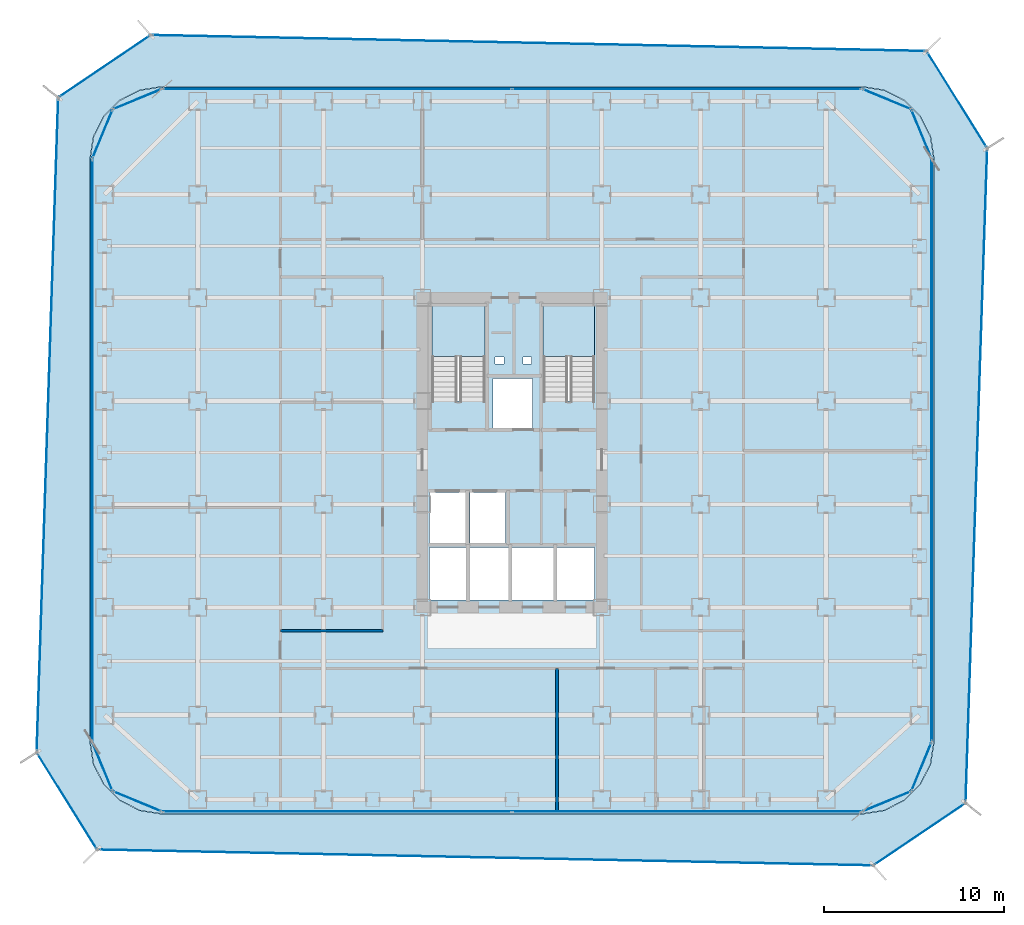
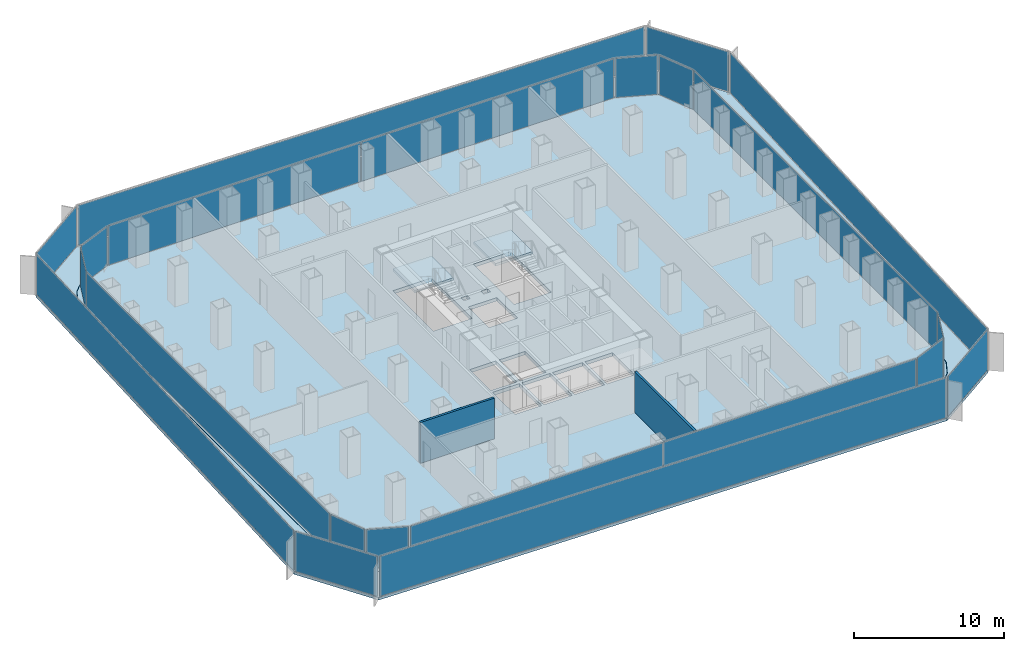
# One storey, part 16 of 21: 22 plates, 4 slabs, 2 walls, 22 elements without a shape of their own.
"""IFC4 building model written with IfcOpenShell, lengths in metres."""

from ifc_helpers import new_model, si_unit, direction, frame, frame_2d, origin, origin_2d, place, context, subcontext, project, spatial, polyline, rectangle, outline, extrude, source, transform, mapped, material, layer, layer_set, type_object, element, aggregate, save


model = new_model("IFC4")

# Units and contexts
model_context = context("Model", 3, precision=1e-05, world=origin(), true_north=direction((0.0, 1.0)))
body_context = subcontext(model_context, "Body", "Model", "MODEL_VIEW")
ifc_project = project(units=[si_unit("LENGTHUNIT", "METRE"), si_unit("AREAUNIT", "SQUARE_METRE"), si_unit("VOLUMEUNIT", "CUBIC_METRE"), si_unit("PLANEANGLEUNIT", "RADIAN"), si_unit("MASSUNIT", "GRAM", prefix="KILO")], contexts=[model_context])

# Site, building, storey
site_placement = place(None, origin())
site = spatial("IfcSite", under=ifc_project, at=site_placement, CompositionType="ELEMENT")
building_placement = place(site_placement, origin())
building = spatial("IfcBuilding", under=site, at=building_placement, Name="Kolveth Station Tower", CompositionType="ELEMENT")
storey_placement = place(building_placement, frame((0.0, 0.0, 47.699951171875)))
storey = spatial("IfcBuildingStorey", under=building, at=storey_placement, Name="L12", CompositionType="ELEMENT", Elevation=47.699951171875)

# Slab
ifc_material_1 = material(Name="Concrete C45/55", Category="concrete")
ifc_layer_1 = layer(ifc_material_1, 0.280029296875)
ifc_layer_set_1 = layer_set([ifc_layer_1], Name="Concrete C45/55")
slab_type_1 = type_object("IfcSlabType", Name="Slab_SF-280", PredefinedType="FLOOR", material=ifc_layer_set_1)
slab_1_placement = place(storey_placement, frame((0.0, 0.0, -0.280029296875)))
element("IfcSlab", 1, at=slab_1_placement, inside=storey, type_object=slab_type_1, Name="L12 Tower Structural Floor Slab", PredefinedType="FLOOR", context=body_context, shape_type="SweptSolid", body=[
    extrude(outline(polyline([(43.0, 0.0), (44.236083984375, 0.19580078125), (45.35107421875, 0.763916015625), (46.236083984375, 1.64892578125), (46.80419921875, 2.763916015625), (47.0, 4.0), (47.0, 36.5), (46.80419921875, 37.736083984375), (46.236083984375, 38.85107421875), (45.35107421875, 39.736083984375), (44.236083984375, 40.30419921875), (43.0, 40.5), (4.0, 40.5), (2.763916015625, 40.30419921875), (1.64892578125, 39.736083984375), (0.763916015625, 38.85107421875), (0.19580078125, 37.736083984375), (0.0, 36.5), (0.0, 4.0), (0.19580078125, 2.763916015625), (0.763916015625, 1.64892578125), (1.64892578125, 0.763916015625), (2.763916015625, 0.19580078125), (4.0, 0.0), (43.0, 0.0)]), holes=[polyline([(19.0400390625, 22.985107421875), (22.0, 22.985107421875), (22.0, 28.39990234375), (19.0400390625, 28.39990234375), (19.0400390625, 22.985107421875)]), polyline([(25.239990234375, 22.985107421875), (28.10009765625, 22.985107421875), (28.10009765625, 28.39990234375), (25.239990234375, 28.39990234375), (25.239990234375, 22.985107421875)]), polyline([(18.89990234375, 15.10009765625), (20.89990234375, 15.10009765625), (20.89990234375, 17.89990234375), (18.89990234375, 17.89990234375), (18.89990234375, 15.10009765625)]), polyline([(21.14990234375, 15.10009765625), (23.14990234375, 15.10009765625), (23.14990234375, 17.89990234375), (21.14990234375, 17.89990234375), (21.14990234375, 15.10009765625)]), polyline([(22.449951171875, 21.5), (24.64990234375, 21.5), (24.64990234375, 24.25), (22.449951171875, 24.25), (22.449951171875, 21.5)]), polyline([(18.89990234375, 11.89990234375), (20.949951171875, 11.89990234375), (20.949951171875, 14.85009765625), (18.89990234375, 14.85009765625), (18.89990234375, 11.89990234375)]), polyline([(21.14990234375, 11.89990234375), (23.300048828125, 11.89990234375), (23.300048828125, 14.85009765625), (21.14990234375, 14.85009765625), (21.14990234375, 11.89990234375)]), polyline([(23.5, 11.89990234375), (25.800048828125, 11.89990234375), (25.800048828125, 14.85009765625), (23.5, 14.85009765625), (23.5, 11.89990234375)]), polyline([(26.0, 11.89990234375), (28.10009765625, 11.89990234375), (28.10009765625, 14.85009765625), (26.0, 14.85009765625), (26.0, 11.89990234375)]), polyline([(22.550048828125, 25.050048828125), (23.050048828125, 25.050048828125), (23.050048828125, 25.449951171875), (22.550048828125, 25.449951171875), (22.550048828125, 25.050048828125)]), polyline([(24.10009765625, 25.050048828125), (24.60009765625, 25.050048828125), (24.60009765625, 25.449951171875), (24.10009765625, 25.449951171875), (24.10009765625, 25.050048828125)])]), origin(), (0.0, 0.0, 1.0), 0.280029296875),
])

# Stair, slab
ifc_material_2 = material(Name="Concrete C40/50", Category="concrete")
stair_type_1 = type_object("IfcStairType", Name="Stair_ST2", PredefinedType="HALF_TURN_STAIR", material=ifc_material_2)
stair_1_placement = place(storey_placement, origin())
stair_1 = element("IfcStair", 2, at=stair_1_placement, inside=storey, type_object=stair_type_1, Name="L12 Tower Exit Stair ST2", PredefinedType="HALF_TURN_STAIR")
ifc_layer_2 = layer(ifc_material_2, 0.18994140625)
ifc_layer_set_2 = layer_set([ifc_layer_2], Name="Concrete C40/50")
slab_type_2 = type_object("IfcSlabType", Name="Slab_SL-190", PredefinedType="LANDING", material=ifc_layer_set_2)
slab_2_placement = place(storey_placement, frame((0.0, 0.0, 1.60009765625)))
slab_2 = element("IfcSlab", 3, at=slab_2_placement, type_object=slab_type_2, Name="ST2 landing 1", PredefinedType="LANDING", context=body_context, shape_type="SweptSolid", body=[
    extrude(outline(polyline([(28.10009765625, 25.469970703125), (28.10009765625, 28.39990234375), (25.239990234375, 28.39990234375), (25.239990234375, 25.469970703125), (28.10009765625, 25.469970703125)])), origin(), (0.0, 0.0, 1.0), 0.199951171875),
])
aggregate(stair_1, [slab_2])

stair_type_2 = type_object("IfcStairType", Name="Stair_ST1", PredefinedType="HALF_TURN_STAIR", material=ifc_material_2)
stair_2_placement = place(storey_placement, origin())
stair_2 = element("IfcStair", 4, at=stair_2_placement, inside=storey, type_object=stair_type_2, Name="L12 Tower Exit Stair ST1", PredefinedType="HALF_TURN_STAIR")
ifc_layer_3 = layer(ifc_material_2, 0.205078125)
ifc_layer_set_3 = layer_set([ifc_layer_3], Name="Concrete C40/50")
slab_type_3 = type_object("IfcSlabType", Name="Slab_SL-205", PredefinedType="LANDING", material=ifc_layer_set_3)
slab_3_placement = place(storey_placement, frame((0.0, 0.0, 1.60009765625)))
slab_3 = element("IfcSlab", 5, at=slab_3_placement, type_object=slab_type_3, Name="ST1 landing 1", PredefinedType="LANDING", context=body_context, shape_type="SweptSolid", body=[
    extrude(outline(polyline([(22.0, 25.469970703125), (22.0, 28.39990234375), (19.0400390625, 28.39990234375), (19.0400390625, 25.469970703125), (22.0, 25.469970703125)])), origin(), (0.0, 0.0, 1.0), 0.199951171875),
])
aggregate(stair_2, [slab_3])

# Slab
ifc_layer_4 = layer(ifc_material_2, 0.2099609375)
ifc_layer_set_4 = layer_set([ifc_layer_4], Name="Concrete C40/50")
slab_type_4 = type_object("IfcSlabType", Name="Slab_ST-210", PredefinedType="FLOOR", material=ifc_layer_set_4)
slab_4_placement = place(storey_placement, frame((0.0, 0.0, -0.2099609375)))
element("IfcSlab", 6, at=slab_4_placement, inside=storey, type_object=slab_type_4, Name="L12 Double-Skin Cavity Structural Ledger Ring", PredefinedType="FLOOR", context=body_context, shape_type="SweptSolid", body=[
    extrude(outline(polyline([(0.39501953125, -1.994873046875), (-2.977294921875, 3.41650390625), (-1.77490234375, 39.9052734375), (3.369873046875, 43.3828125), (46.601806640625, 42.489013671875), (49.977294921875, 37.08349609375), (48.76953125, 0.59765625), (43.62939453125, -2.876953125), (0.39501953125, -1.994873046875)]), holes=[polyline([(43.002197265625, -0.014892578125), (44.23828125, 0.180908203125), (44.242919921875, 0.182373046875), (45.35791015625, 0.75048828125), (45.36181640625, 0.75341796875), (46.24658203125, 1.63818359375), (46.24951171875, 1.64208984375), (46.817626953125, 2.757080078125), (46.819091796875, 2.76171875), (47.014892578125, 3.997802734375), (47.014892578125, 4.0), (47.014892578125, 36.5), (47.014892578125, 36.502197265625), (46.819091796875, 37.73828125), (46.817626953125, 37.742919921875), (46.24951171875, 38.85791015625), (46.24658203125, 38.86181640625), (45.36181640625, 39.74658203125), (45.35791015625, 39.74951171875), (44.242919921875, 40.317626953125), (44.23828125, 40.319091796875), (43.002197265625, 40.514892578125), (43.0, 40.514892578125), (4.0, 40.514892578125), (3.997802734375, 40.514892578125), (2.76171875, 40.319091796875), (2.757080078125, 40.317626953125), (1.64208984375, 39.74951171875), (1.63818359375, 39.74658203125), (0.75341796875, 38.86181640625), (0.75048828125, 38.85791015625), (0.182373046875, 37.742919921875), (0.180908203125, 37.73828125), (-0.014892578125, 36.502197265625), (-0.014892578125, 36.5), (-0.014892578125, 4.0), (-0.014892578125, 3.997802734375), (0.180908203125, 2.76171875), (0.182373046875, 2.757080078125), (0.75048828125, 1.64208984375), (0.75341796875, 1.63818359375), (1.63818359375, 0.75341796875), (1.64208984375, 0.75048828125), (2.757080078125, 0.182373046875), (2.76171875, 0.180908203125), (3.997802734375, -0.014892578125), (4.0, -0.014892578125), (43.0, -0.014892578125), (43.002197265625, -0.014892578125)])]), origin(), (0.0, 0.0, 1.0), 0.2099609375),
])

# Curtain wall, plate
ifc_material_3 = material(Name="Aluminium 6063-T6 and low-E dark glass", Category="aluminium")
ifc_layer_5 = layer(ifc_material_3, 0.179931640625)
ifc_layer_set_5 = layer_set([ifc_layer_5], Name="Aluminium 6063-T6 and low-E dark glass")
curtain_wall_type_1 = type_object("IfcCurtainWallType", Name="CurtainWall_CW-Z1", PredefinedType="NOTDEFINED", material=ifc_layer_set_5)
curtain_wall_1_placement = place(storey_placement, origin())
curtain_wall_1 = element("IfcCurtainWall", 7, at=curtain_wall_1_placement, inside=storey, type_object=curtain_wall_type_1, Name="L12 Inner Thermal Curtain Wall 1", PredefinedType="NOTDEFINED")
ifc_material_4 = material(Name="Architectural low-E dark glass", Category="glass")
ifc_layer_6 = layer(ifc_material_4, 0.035888671875)
ifc_layer_set_6 = layer_set([ifc_layer_6], Name="Architectural low-E dark glass")
plate_type_1 = type_object("IfcPlateType", Name="Panel_GL1", PredefinedType="CURTAIN_PANEL", material=ifc_layer_set_6)
shared_shape_1 = source(origin(), body_context, "Body", "SweptSolid", [
    extrude(rectangle(XDim=2.83349609375, YDim=0.035888671875, at=origin_2d()), origin(), (0.0, 0.0, 1.0), 3.18408203125),
])
plate_1_placement = place(storey_placement, frame((44.371826171875, 0.688232421875, 0.068115234375), z_axis=(0.0, 0.0, 1.0), x_axis=(0.923883857728, 0.382672990201, 0.0)))
plate_1 = element("IfcPlate", 8, at=plate_1_placement, type_object=plate_type_1, Name="CW-Z1 panel 1.1", PredefinedType="CURTAIN_PANEL", context=body_context, shape_type="MappedRepresentation", body=[
    mapped(shared_shape_1, transform((0.0, 0.0, 0.0), x_axis=(1.0, 0.0, 0.0), y_axis=(0.0, 1.0, 0.0), z_axis=(0.0, 0.0, 1.0), scale=1.0)),
])
aggregate(curtain_wall_1, [plate_1])

curtain_wall_2_placement = place(storey_placement, origin())
curtain_wall_2 = element("IfcCurtainWall", 9, at=curtain_wall_2_placement, inside=storey, type_object=curtain_wall_type_1, Name="L12 Inner Thermal Curtain Wall 2", PredefinedType="NOTDEFINED")
plate_2_placement = place(storey_placement, frame((46.311767578125, 2.628173828125, 0.068115234375), z_axis=(0.0, 0.0, 1.0), x_axis=(0.382672990201, 0.923883857728, 0.0)))
plate_2 = element("IfcPlate", 10, at=plate_2_placement, type_object=plate_type_1, Name="CW-Z1 panel 1.1", PredefinedType="CURTAIN_PANEL", context=body_context, shape_type="MappedRepresentation", body=[
    mapped(shared_shape_1, transform((0.0, 0.0, 0.0), x_axis=(1.0, 0.0, 0.0), y_axis=(0.0, 1.0, 0.0), z_axis=(0.0, 0.0, 1.0), scale=1.0)),
])
aggregate(curtain_wall_2, [plate_2])

curtain_wall_3_placement = place(storey_placement, origin())
curtain_wall_3 = element("IfcCurtainWall", 11, at=curtain_wall_3_placement, inside=storey, type_object=curtain_wall_type_1, Name="L12 Inner Thermal Curtain Wall 4", PredefinedType="NOTDEFINED")
plate_3_placement = place(storey_placement, frame((46.311767578125, 37.871826171875, 0.068115234375), z_axis=(0.0, 0.0, 1.0), x_axis=(-0.382672990201, 0.923883857728, 0.0)))
plate_3 = element("IfcPlate", 12, at=plate_3_placement, type_object=plate_type_1, Name="CW-Z1 panel 1.1", PredefinedType="CURTAIN_PANEL", context=body_context, shape_type="MappedRepresentation", body=[
    mapped(shared_shape_1, transform((0.0, 0.0, 0.0), x_axis=(1.0, 0.0, 0.0), y_axis=(0.0, 1.0, 0.0), z_axis=(0.0, 0.0, 1.0), scale=1.0)),
])
aggregate(curtain_wall_3, [plate_3])

curtain_wall_4_placement = place(storey_placement, origin())
curtain_wall_4 = element("IfcCurtainWall", 13, at=curtain_wall_4_placement, inside=storey, type_object=curtain_wall_type_1, Name="L12 Inner Thermal Curtain Wall 5", PredefinedType="NOTDEFINED")
plate_4_placement = place(storey_placement, frame((44.371826171875, 39.811767578125, 0.068115234375), z_axis=(0.0, 0.0, 1.0), x_axis=(-0.923883857728, 0.382672990201, 0.0)))
plate_4 = element("IfcPlate", 14, at=plate_4_placement, type_object=plate_type_1, Name="CW-Z1 panel 1.1", PredefinedType="CURTAIN_PANEL", context=body_context, shape_type="MappedRepresentation", body=[
    mapped(shared_shape_1, transform((0.0, 0.0, 0.0), x_axis=(1.0, 0.0, 0.0), y_axis=(0.0, 1.0, 0.0), z_axis=(0.0, 0.0, 1.0), scale=1.0)),
])
aggregate(curtain_wall_4, [plate_4])

curtain_wall_5_placement = place(storey_placement, origin())
curtain_wall_5 = element("IfcCurtainWall", 15, at=curtain_wall_5_placement, inside=storey, type_object=curtain_wall_type_1, Name="L12 Inner Thermal Curtain Wall 7", PredefinedType="NOTDEFINED")
plate_5_placement = place(storey_placement, frame((2.628173828125, 39.811767578125, 0.068115234375), z_axis=(0.0, 0.0, 1.0), x_axis=(-0.923883857728, -0.382672990201, 0.0)))
plate_5 = element("IfcPlate", 16, at=plate_5_placement, type_object=plate_type_1, Name="CW-Z1 panel 1.1", PredefinedType="CURTAIN_PANEL", context=body_context, shape_type="MappedRepresentation", body=[
    mapped(shared_shape_1, transform((0.0, 0.0, 0.0), x_axis=(1.0, 0.0, 0.0), y_axis=(0.0, 1.0, 0.0), z_axis=(0.0, 0.0, 1.0), scale=1.0)),
])
aggregate(curtain_wall_5, [plate_5])

curtain_wall_6_placement = place(storey_placement, origin())
curtain_wall_6 = element("IfcCurtainWall", 17, at=curtain_wall_6_placement, inside=storey, type_object=curtain_wall_type_1, Name="L12 Inner Thermal Curtain Wall 8", PredefinedType="NOTDEFINED")
plate_6_placement = place(storey_placement, frame((0.688232421875, 37.871826171875, 0.068115234375), z_axis=(0.0, 0.0, 1.0), x_axis=(-0.382672990201, -0.923883857728, 0.0)))
plate_6 = element("IfcPlate", 18, at=plate_6_placement, type_object=plate_type_1, Name="CW-Z1 panel 1.1", PredefinedType="CURTAIN_PANEL", context=body_context, shape_type="MappedRepresentation", body=[
    mapped(shared_shape_1, transform((0.0, 0.0, 0.0), x_axis=(1.0, 0.0, 0.0), y_axis=(0.0, 1.0, 0.0), z_axis=(0.0, 0.0, 1.0), scale=1.0)),
])
aggregate(curtain_wall_6, [plate_6])

curtain_wall_7_placement = place(storey_placement, origin())
curtain_wall_7 = element("IfcCurtainWall", 19, at=curtain_wall_7_placement, inside=storey, type_object=curtain_wall_type_1, Name="L12 Inner Thermal Curtain Wall 10", PredefinedType="NOTDEFINED")
plate_7_placement = place(storey_placement, frame((0.688232421875, 2.628173828125, 0.068115234375), z_axis=(0.0, 0.0, 1.0), x_axis=(0.382672990201, -0.923883857728, 0.0)))
plate_7 = element("IfcPlate", 20, at=plate_7_placement, type_object=plate_type_1, Name="CW-Z1 panel 1.1", PredefinedType="CURTAIN_PANEL", context=body_context, shape_type="MappedRepresentation", body=[
    mapped(shared_shape_1, transform((0.0, 0.0, 0.0), x_axis=(1.0, 0.0, 0.0), y_axis=(0.0, 1.0, 0.0), z_axis=(0.0, 0.0, 1.0), scale=1.0)),
])
aggregate(curtain_wall_7, [plate_7])

curtain_wall_8_placement = place(storey_placement, origin())
curtain_wall_8 = element("IfcCurtainWall", 21, at=curtain_wall_8_placement, inside=storey, type_object=curtain_wall_type_1, Name="L12 Inner Thermal Curtain Wall 11", PredefinedType="NOTDEFINED")
plate_8_placement = place(storey_placement, frame((2.628173828125, 0.688232421875, 0.068115234375), z_axis=(0.0, 0.0, 1.0), x_axis=(0.923883857728, -0.382672990201, 0.0)))
plate_8 = element("IfcPlate", 22, at=plate_8_placement, type_object=plate_type_1, Name="CW-Z1 panel 1.1", PredefinedType="CURTAIN_PANEL", context=body_context, shape_type="MappedRepresentation", body=[
    mapped(shared_shape_1, transform((0.0, 0.0, 0.0), x_axis=(1.0, 0.0, 0.0), y_axis=(0.0, 1.0, 0.0), z_axis=(0.0, 0.0, 1.0), scale=1.0)),
])
aggregate(curtain_wall_8, [plate_8])

curtain_wall_9_placement = place(storey_placement, origin())
curtain_wall_9 = element("IfcCurtainWall", 23, at=curtain_wall_9_placement, inside=storey, type_object=curtain_wall_type_1, Name="L12 Inner Thermal Curtain Wall 3", PredefinedType="NOTDEFINED")
shared_shape_2 = source(origin(), body_context, "Body", "SweptSolid", [
    extrude(rectangle(XDim=32.364013671875, YDim=0.035888671875, at=origin_2d()), origin(), (0.0, 0.0, 1.0), 3.18408203125),
])
plate_9_placement = place(storey_placement, frame((46.8798828125, 20.25, 0.068115234375), z_axis=(0.0, 0.0, 1.0), x_axis=(0.0, 1.0, 0.0)))
plate_9 = element("IfcPlate", 24, at=plate_9_placement, type_object=plate_type_1, Name="CW-Z1 panel 1.1", PredefinedType="CURTAIN_PANEL", context=body_context, shape_type="MappedRepresentation", body=[
    mapped(shared_shape_2, transform((0.0, 0.0, 0.0), x_axis=(1.0, 0.0, 0.0), y_axis=(0.0, 1.0, 0.0), z_axis=(0.0, 0.0, 1.0), scale=1.0)),
])
aggregate(curtain_wall_9, [plate_9])

curtain_wall_10_placement = place(storey_placement, origin())
curtain_wall_10 = element("IfcCurtainWall", 25, at=curtain_wall_10_placement, inside=storey, type_object=curtain_wall_type_1, Name="L12 Inner Thermal Curtain Wall 9", PredefinedType="NOTDEFINED")
plate_10_placement = place(storey_placement, frame((0.1201171875, 20.25, 0.068115234375), z_axis=(0.0, 0.0, 1.0), x_axis=(0.0, -1.0, 0.0)))
plate_10 = element("IfcPlate", 26, at=plate_10_placement, type_object=plate_type_1, Name="CW-Z1 panel 1.1", PredefinedType="CURTAIN_PANEL", context=body_context, shape_type="MappedRepresentation", body=[
    mapped(shared_shape_2, transform((0.0, 0.0, 0.0), x_axis=(1.0, 0.0, 0.0), y_axis=(0.0, 1.0, 0.0), z_axis=(0.0, 0.0, 1.0), scale=1.0)),
])
aggregate(curtain_wall_10, [plate_10])

# Curtain wall, plates
curtain_wall_11_placement = place(storey_placement, origin())
curtain_wall_11 = element("IfcCurtainWall", 27, at=curtain_wall_11_placement, inside=storey, type_object=curtain_wall_type_1, Name="L12 Inner Thermal Curtain Wall 6", PredefinedType="NOTDEFINED")
shared_shape_3 = source(origin(), body_context, "Body", "SweptSolid", [
    extrude(rectangle(XDim=19.401611328125, YDim=0.035888671875, at=origin_2d()), origin(), (0.0, 0.0, 1.0), 3.18408203125),
])
plate_11_placement = place(storey_placement, frame((33.231201171875, 40.3798828125, 0.068115234375), z_axis=(0.0, 0.0, 1.0), x_axis=(-1.0, 0.0, 0.0)))
plate_11 = element("IfcPlate", 28, at=plate_11_placement, type_object=plate_type_1, Name="CW-Z1 panel 1.1", PredefinedType="CURTAIN_PANEL", context=body_context, shape_type="MappedRepresentation", body=[
    mapped(shared_shape_3, transform((0.0, 0.0, 0.0), x_axis=(1.0, 0.0, 0.0), y_axis=(0.0, 1.0, 0.0), z_axis=(0.0, 0.0, 1.0), scale=1.0)),
])
plate_12_placement = place(storey_placement, frame((13.768798828125, 40.3798828125, 0.068115234375), z_axis=(0.0, 0.0, 1.0), x_axis=(-1.0, 0.0, 0.0)))
plate_12 = element("IfcPlate", 29, at=plate_12_placement, type_object=plate_type_1, Name="CW-Z1 panel 2.1", PredefinedType="CURTAIN_PANEL", context=body_context, shape_type="MappedRepresentation", body=[
    mapped(shared_shape_3, transform((0.0, 0.0, 0.0), x_axis=(1.0, 0.0, 0.0), y_axis=(0.0, 1.0, 0.0), z_axis=(0.0, 0.0, 1.0), scale=1.0)),
])
aggregate(curtain_wall_11, [plate_11, plate_12])

curtain_wall_12_placement = place(storey_placement, origin())
curtain_wall_12 = element("IfcCurtainWall", 30, at=curtain_wall_12_placement, inside=storey, type_object=curtain_wall_type_1, Name="L12 Inner Thermal Curtain Wall 12", PredefinedType="NOTDEFINED")
plate_13_placement = place(storey_placement, frame((13.768798828125, 0.1201171875, 0.068115234375), z_axis=(0.0, 0.0, 1.0), x_axis=(1.0, 0.0, 0.0)))
plate_13 = element("IfcPlate", 31, at=plate_13_placement, type_object=plate_type_1, Name="CW-Z1 panel 1.1", PredefinedType="CURTAIN_PANEL", context=body_context, shape_type="MappedRepresentation", body=[
    mapped(shared_shape_3, transform((0.0, 0.0, 0.0), x_axis=(1.0, 0.0, 0.0), y_axis=(0.0, 1.0, 0.0), z_axis=(0.0, 0.0, 1.0), scale=1.0)),
])
plate_14_placement = place(storey_placement, frame((33.231201171875, 0.1201171875, 0.068115234375), z_axis=(0.0, 0.0, 1.0), x_axis=(1.0, 0.0, 0.0)))
plate_14 = element("IfcPlate", 32, at=plate_14_placement, type_object=plate_type_1, Name="CW-Z1 panel 2.1", PredefinedType="CURTAIN_PANEL", context=body_context, shape_type="MappedRepresentation", body=[
    mapped(shared_shape_3, transform((0.0, 0.0, 0.0), x_axis=(1.0, 0.0, 0.0), y_axis=(0.0, 1.0, 0.0), z_axis=(0.0, 0.0, 1.0), scale=1.0)),
])
aggregate(curtain_wall_12, [plate_13, plate_14])

# Curtain wall, plate
ifc_material_5 = material(Name="Black anodized aluminium 6063-T6 and dark solar glass", Category="aluminium")
ifc_layer_7 = layer(ifc_material_5, 0.159912109375)
ifc_layer_set_7 = layer_set([ifc_layer_7], Name="Black anodized aluminium 6063-T6 and dark solar glass")
curtain_wall_type_2 = type_object("IfcCurtainWallType", Name="OUTER SKIN CW-OS", PredefinedType="NOTDEFINED", material=ifc_layer_set_7)
curtain_wall_13_placement = place(storey_placement, origin())
curtain_wall_13 = element("IfcCurtainWall", 33, at=curtain_wall_13_placement, inside=storey, type_object=curtain_wall_type_2, Name="L12 Outer Ventilated Skin Curtain Wall 1", PredefinedType="NOTDEFINED")
ifc_layer_8 = layer(ifc_material_4, 0.028076171875)
ifc_layer_set_8 = layer_set([ifc_layer_8], Name="Architectural low-E dark glass")
plate_type_2 = type_object("IfcPlateType", Name="Panel_GL-OS", PredefinedType="CURTAIN_PANEL", material=ifc_layer_set_8)
shared_shape_4 = source(origin(), body_context, "Body", "SweptSolid", [
    extrude(rectangle(XDim=6.0380859375, YDim=0.028076171875, at=origin_2d()), origin(), (0.0, 0.0, 1.0), 3.243896484375),
])
plate_15_placement = place(storey_placement, frame((46.199462890625, -1.1396484375, 0.0732421875), z_axis=(0.0, 0.0, 1.0), x_axis=(0.828467295912, 0.560037444824, 0.0)))
plate_15 = element("IfcPlate", 34, at=plate_15_placement, type_object=plate_type_2, Name="CW-OS panel 1.1", PredefinedType="CURTAIN_PANEL", context=body_context, shape_type="MappedRepresentation", body=[
    mapped(shared_shape_4, transform((0.0, 0.0, 0.0), x_axis=(1.0, 0.0, 0.0), y_axis=(0.0, 1.0, 0.0), z_axis=(0.0, 0.0, 1.0), scale=1.0)),
])
aggregate(curtain_wall_13, [plate_15])

curtain_wall_14_placement = place(storey_placement, origin())
curtain_wall_14 = element("IfcCurtainWall", 35, at=curtain_wall_14_placement, inside=storey, type_object=curtain_wall_type_2, Name="L12 Outer Ventilated Skin Curtain Wall 2", PredefinedType="NOTDEFINED")
shared_shape_5 = source(origin(), body_context, "Body", "SweptSolid", [
    extrude(rectangle(XDim=36.339599609375, YDim=0.028076171875, at=origin_2d()), origin(), (0.0, 0.0, 1.0), 3.243896484375),
])
plate_16_placement = place(storey_placement, frame((49.37353515625, 18.840576171875, 0.0732421875), z_axis=(0.0, 0.0, 1.0), x_axis=(0.033087993514, 0.999452442433, 0.0)))
plate_16 = element("IfcPlate", 36, at=plate_16_placement, type_object=plate_type_2, Name="CW-OS panel 1.1", PredefinedType="CURTAIN_PANEL", context=body_context, shape_type="MappedRepresentation", body=[
    mapped(shared_shape_5, transform((0.0, 0.0, 0.0), x_axis=(1.0, 0.0, 0.0), y_axis=(0.0, 1.0, 0.0), z_axis=(0.0, 0.0, 1.0), scale=1.0)),
])
aggregate(curtain_wall_14, [plate_16])

curtain_wall_15_placement = place(storey_placement, origin())
curtain_wall_15 = element("IfcCurtainWall", 37, at=curtain_wall_15_placement, inside=storey, type_object=curtain_wall_type_2, Name="L12 Outer Ventilated Skin Curtain Wall 3", PredefinedType="NOTDEFINED")
shared_shape_6 = source(origin(), body_context, "Body", "SweptSolid", [
    extrude(rectangle(XDim=6.20703125, YDim=0.028076171875, at=origin_2d()), origin(), (0.0, 0.0, 1.0), 3.243896484375),
])
plate_17_placement = place(storey_placement, frame((48.28955078125, 39.7861328125, 0.0732421875), z_axis=(0.0, 0.0, 1.0), x_axis=(-0.529690016133, 0.848191303191, 0.0)))
plate_17 = element("IfcPlate", 38, at=plate_17_placement, type_object=plate_type_2, Name="CW-OS panel 1.1", PredefinedType="CURTAIN_PANEL", context=body_context, shape_type="MappedRepresentation", body=[
    mapped(shared_shape_6, transform((0.0, 0.0, 0.0), x_axis=(1.0, 0.0, 0.0), y_axis=(0.0, 1.0, 0.0), z_axis=(0.0, 0.0, 1.0), scale=1.0)),
])
aggregate(curtain_wall_15, [plate_17])

curtain_wall_16_placement = place(storey_placement, origin())
curtain_wall_16 = element("IfcCurtainWall", 39, at=curtain_wall_16_placement, inside=storey, type_object=curtain_wall_type_2, Name="L12 Outer Ventilated Skin Curtain Wall 4", PredefinedType="NOTDEFINED")
shared_shape_7 = source(origin(), body_context, "Body", "SweptSolid", [
    extrude(rectangle(XDim=43.0751953125, YDim=0.028076171875, at=origin_2d()), origin(), (0.0, 0.0, 1.0), 3.243896484375),
])
plate_18_placement = place(storey_placement, frame((24.98583984375, 42.935791015625, 0.0732421875), z_axis=(0.0, 0.0, 1.0), x_axis=(-0.999786302223, 0.020672442697, 0.0)))
plate_18 = element("IfcPlate", 40, at=plate_18_placement, type_object=plate_type_2, Name="CW-OS panel 1.1", PredefinedType="CURTAIN_PANEL", context=body_context, shape_type="MappedRepresentation", body=[
    mapped(shared_shape_7, transform((0.0, 0.0, 0.0), x_axis=(1.0, 0.0, 0.0), y_axis=(0.0, 1.0, 0.0), z_axis=(0.0, 0.0, 1.0), scale=1.0)),
])
aggregate(curtain_wall_16, [plate_18])

curtain_wall_17_placement = place(storey_placement, origin())
curtain_wall_17 = element("IfcCurtainWall", 41, at=curtain_wall_17_placement, inside=storey, type_object=curtain_wall_type_2, Name="L12 Outer Ventilated Skin Curtain Wall 5", PredefinedType="NOTDEFINED")
shared_shape_8 = source(origin(), body_context, "Body", "SweptSolid", [
    extrude(rectangle(XDim=6.043701171875, YDim=0.028076171875, at=origin_2d()), origin(), (0.0, 0.0, 1.0), 3.243896484375),
])
plate_19_placement = place(storey_placement, frame((0.797607421875, 41.64404296875, 0.0732421875), z_axis=(0.0, 0.0, 1.0), x_axis=(-0.82847548215, -0.560025334673, 0.0)))
plate_19 = element("IfcPlate", 42, at=plate_19_placement, type_object=plate_type_2, Name="CW-OS panel 1.1", PredefinedType="CURTAIN_PANEL", context=body_context, shape_type="MappedRepresentation", body=[
    mapped(shared_shape_8, transform((0.0, 0.0, 0.0), x_axis=(1.0, 0.0, 0.0), y_axis=(0.0, 1.0, 0.0), z_axis=(0.0, 0.0, 1.0), scale=1.0)),
])
aggregate(curtain_wall_17, [plate_19])

curtain_wall_18_placement = place(storey_placement, origin())
curtain_wall_18 = element("IfcCurtainWall", 43, at=curtain_wall_18_placement, inside=storey, type_object=curtain_wall_type_2, Name="L12 Outer Ventilated Skin Curtain Wall 6", PredefinedType="NOTDEFINED")
shared_shape_9 = source(origin(), body_context, "Body", "SweptSolid", [
    extrude(rectangle(XDim=36.34228515625, YDim=0.028076171875, at=origin_2d()), origin(), (0.0, 0.0, 1.0), 3.243896484375),
])
plate_20_placement = place(storey_placement, frame((-2.376220703125, 21.660888671875, 0.0732421875), z_axis=(0.0, 0.0, 1.0), x_axis=(-0.032940353211, -0.999457319314, 0.0)))
plate_20 = element("IfcPlate", 44, at=plate_20_placement, type_object=plate_type_2, Name="CW-OS panel 1.1", PredefinedType="CURTAIN_PANEL", context=body_context, shape_type="MappedRepresentation", body=[
    mapped(shared_shape_9, transform((0.0, 0.0, 0.0), x_axis=(1.0, 0.0, 0.0), y_axis=(0.0, 1.0, 0.0), z_axis=(0.0, 0.0, 1.0), scale=1.0)),
])
aggregate(curtain_wall_18, [plate_20])

curtain_wall_19_placement = place(storey_placement, origin())
curtain_wall_19 = element("IfcCurtainWall", 45, at=curtain_wall_19_placement, inside=storey, type_object=curtain_wall_type_2, Name="L12 Outer Ventilated Skin Curtain Wall 7", PredefinedType="NOTDEFINED")
shared_shape_10 = source(origin(), body_context, "Body", "SweptSolid", [
    extrude(rectangle(XDim=6.210205078125, YDim=0.028076171875, at=origin_2d()), origin(), (0.0, 0.0, 1.0), 3.243896484375),
])
plate_21_placement = place(storey_placement, frame((-1.291259765625, 0.7109375, 0.0732421875), z_axis=(0.0, 0.0, 1.0), x_axis=(0.528890430721, -0.848690115585, 0.0)))
plate_21 = element("IfcPlate", 46, at=plate_21_placement, type_object=plate_type_2, Name="CW-OS panel 1.1", PredefinedType="CURTAIN_PANEL", context=body_context, shape_type="MappedRepresentation", body=[
    mapped(shared_shape_10, transform((0.0, 0.0, 0.0), x_axis=(1.0, 0.0, 0.0), y_axis=(0.0, 1.0, 0.0), z_axis=(0.0, 0.0, 1.0), scale=1.0)),
])
aggregate(curtain_wall_19, [plate_21])

curtain_wall_20_placement = place(storey_placement, origin())
curtain_wall_20 = element("IfcCurtainWall", 47, at=curtain_wall_20_placement, inside=storey, type_object=curtain_wall_type_2, Name="L12 Outer Ventilated Skin Curtain Wall 8", PredefinedType="NOTDEFINED")
shared_shape_11 = source(origin(), body_context, "Body", "SweptSolid", [
    extrude(rectangle(XDim=43.07763671875, YDim=0.028076171875, at=origin_2d()), origin(), (0.0, 0.0, 1.0), 3.243896484375),
])
plate_22_placement = place(storey_placement, frame((22.01220703125, -2.435791015625, 0.0732421875), z_axis=(0.0, 0.0, 1.0), x_axis=(0.999791931088, -0.020398395319, 0.0)))
plate_22 = element("IfcPlate", 48, at=plate_22_placement, type_object=plate_type_2, Name="CW-OS panel 1.1", PredefinedType="CURTAIN_PANEL", context=body_context, shape_type="MappedRepresentation", body=[
    mapped(shared_shape_11, transform((0.0, 0.0, 0.0), x_axis=(1.0, 0.0, 0.0), y_axis=(0.0, 1.0, 0.0), z_axis=(0.0, 0.0, 1.0), scale=1.0)),
])
aggregate(curtain_wall_20, [plate_22])

# Walls
ifc_material_6 = material(Name="Acoustic double-stud gypsum partition")
ifc_layer_9 = layer(ifc_material_6, 0.1650390625)
ifc_layer_set_9 = layer_set([ifc_layer_9], Name="Acoustic double-stud gypsum partition")
wall_type = type_object("IfcWallType", Name="Wall_IW-165", PredefinedType="PARTITIONING", material=ifc_layer_set_9)
wall_1_placement = place(storey_placement, frame((10.60009765625, 10.199951171875, 0.0), z_axis=(0.0, 0.0, 1.0), x_axis=(1.0, 0.0, 0.0)))
element("IfcWall", 49, at=wall_1_placement, inside=storey, type_object=wall_type, Name="L12 Partition Wall WL-L12-OSWT", PredefinedType="PARTITIONING", context=body_context, shape_type="SweptSolid", body=[
    extrude(rectangle(XDim=5.699951171875, YDim=0.1650390625, at=frame_2d((2.85009765625, 0.0))), origin(), (0.0, 0.0, 1.0), 3.320068359375),
])
wall_2_placement = place(storey_placement, frame((26.0, 0.159912109375, 0.0), z_axis=(0.0, 0.0, 1.0), x_axis=(0.0, 1.0, 0.0)))
element("IfcWall", 50, at=wall_2_placement, inside=storey, type_object=wall_type, Name="L12 Partition Wall WL-L12-OS-P1", PredefinedType="PARTITIONING", context=body_context, shape_type="SweptSolid", body=[
    extrude(rectangle(XDim=7.940185546875, YDim=0.1650390625, at=frame_2d((3.97021484375, 0.0))), origin(), (0.0, 0.0, 1.0), 3.320068359375),
])

save(model, "model.ifc")
